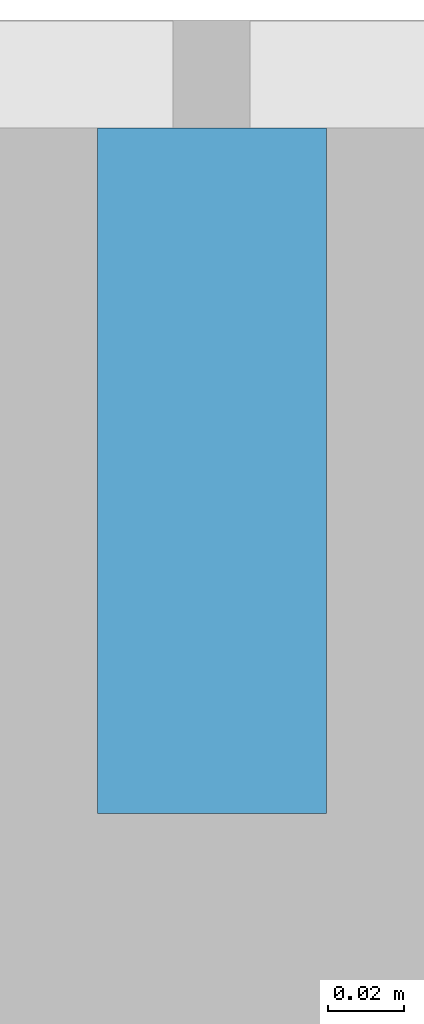
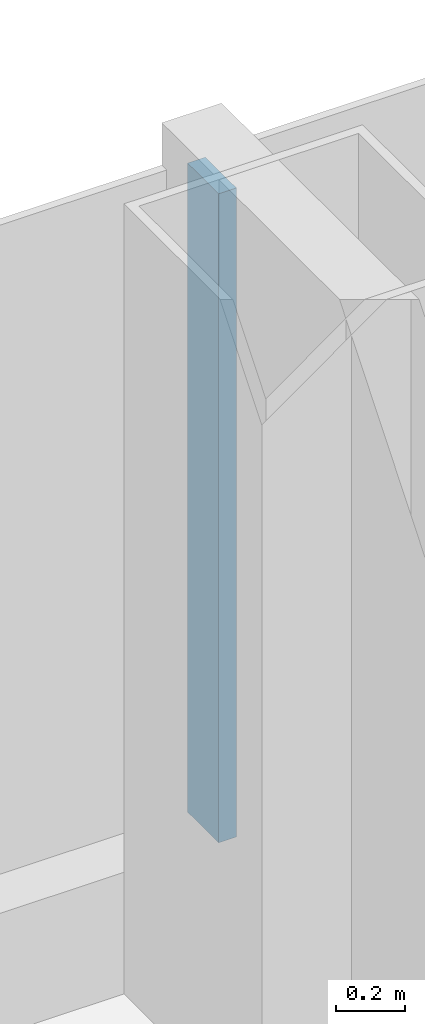
# One storey, part 8 of 29: 1 member, 1 element without a shape of its own.
"""IFC4 building model written with IfcOpenShell, lengths in metres."""

from ifc_helpers import new_model, si_unit, direction, frame, origin, origin_2d, place, context, subcontext, project, spatial, rectangle, extrude, material, layer, layer_set, material_profile, profile_set, type_object, element, aggregate, save


model = new_model("IFC4")

# Units and contexts
model_context = context("Model", 3, precision=1e-05, world=origin(), true_north=direction((0.0, 1.0)))
body_context = subcontext(model_context, "Body", "Model", "MODEL_VIEW")
ifc_project = project(units=[si_unit("LENGTHUNIT", "METRE"), si_unit("AREAUNIT", "SQUARE_METRE"), si_unit("VOLUMEUNIT", "CUBIC_METRE"), si_unit("PLANEANGLEUNIT", "RADIAN"), si_unit("MASSUNIT", "GRAM", prefix="KILO")], contexts=[model_context])

# Site, building, storey
site_placement = place(None, origin())
site = spatial("IfcSite", under=ifc_project, at=site_placement, CompositionType="ELEMENT")
building_placement = place(site_placement, origin())
building = spatial("IfcBuilding", under=site, at=building_placement, Name="Hakoniwa Tower and Hamabe Station Hall", CompositionType="ELEMENT")
storey_placement = place(building_placement, frame((0.0, 0.0, 91.39990234375)))
storey = spatial("IfcBuildingStorey", under=building, at=storey_placement, Name="L25", CompositionType="ELEMENT", Elevation=91.39990234375)

# Curtain wall, member
ifc_material_1 = material(Name="Dark low-e laminated glass", Category="glass")
ifc_layer = layer(ifc_material_1, 0.199951171875)
ifc_layer_set = layer_set([ifc_layer], Name="CW-1 UNITISED GUEST")
curtain_wall_type = type_object("IfcCurtainWallType", Name="CW-1 UNITISED GUEST", PredefinedType="NOTDEFINED", material=ifc_layer_set)
curtain_wall_placement = place(storey_placement, origin())
curtain_wall = element("IfcCurtainWall", 1, at=curtain_wall_placement, inside=storey, type_object=curtain_wall_type, Name="CW-1 curtain wall", PredefinedType="NOTDEFINED")
ifc_material_2 = material(Name="Aluminium 6063-T5 black anodised", Category="aluminium")
ifc_material_profile = material_profile(ifc_material_2, rectangle(XDim=0.06005859375, YDim=0.179931640625, at=origin_2d()), Name="CW-1 MULLION 60X180")
ifc_profile_set = profile_set([ifc_material_profile], Name="Aluminium 6063-T5 black anodised")
member_type = type_object("IfcMemberType", Name="CW-1 MULLION 60X180", PredefinedType="MULLION", material=ifc_profile_set)
member_placement = place(storey_placement, frame((-8.39990234375, 23.431884765625, 0.35009765625), z_axis=(0.0, 0.0, 1.0), x_axis=(-1.0, 0.0, 0.0)))
member = element("IfcMember", 2, at=member_placement, type_object=member_type, Name="CW-1 mullion", PredefinedType="MULLION", context=body_context, shape_type="SweptSolid", body=[
    extrude(rectangle(XDim=0.06005859375, YDim=0.179931640625, at=origin_2d()), origin(), (0.0, 0.0, 1.0), 2.300048828125),
])
aggregate(curtain_wall, [member])

save(model, "model.ifc")
